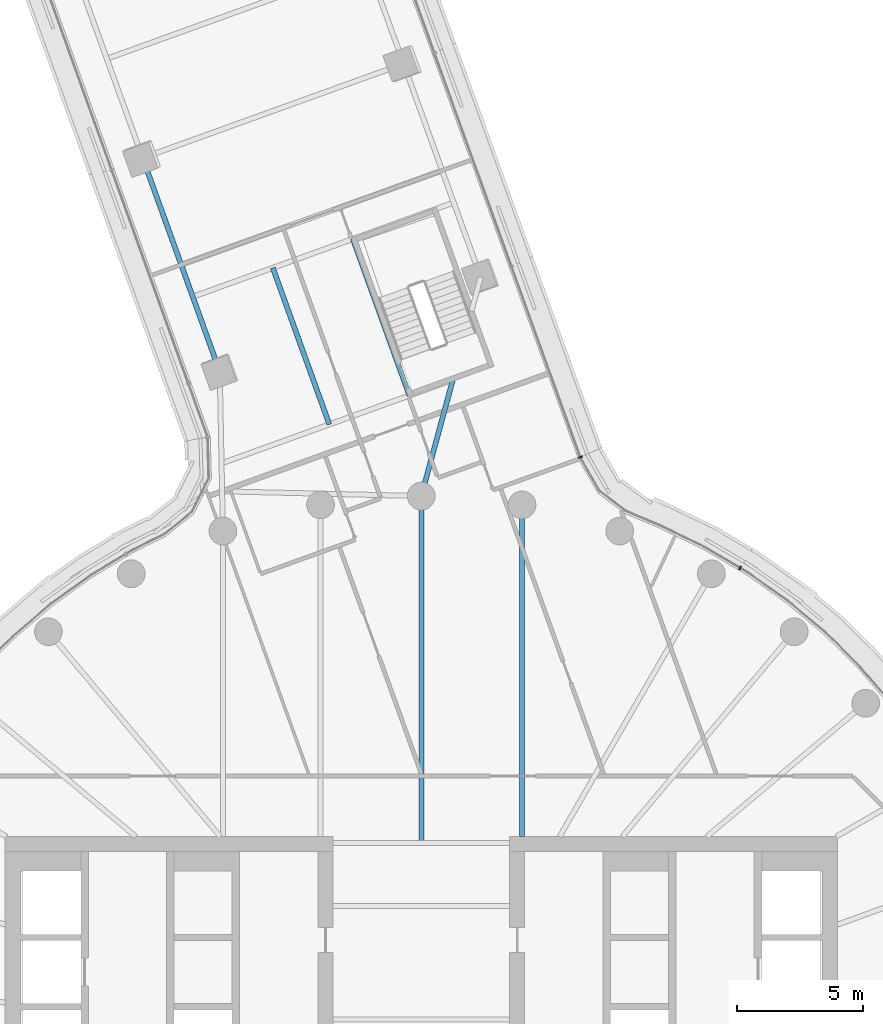
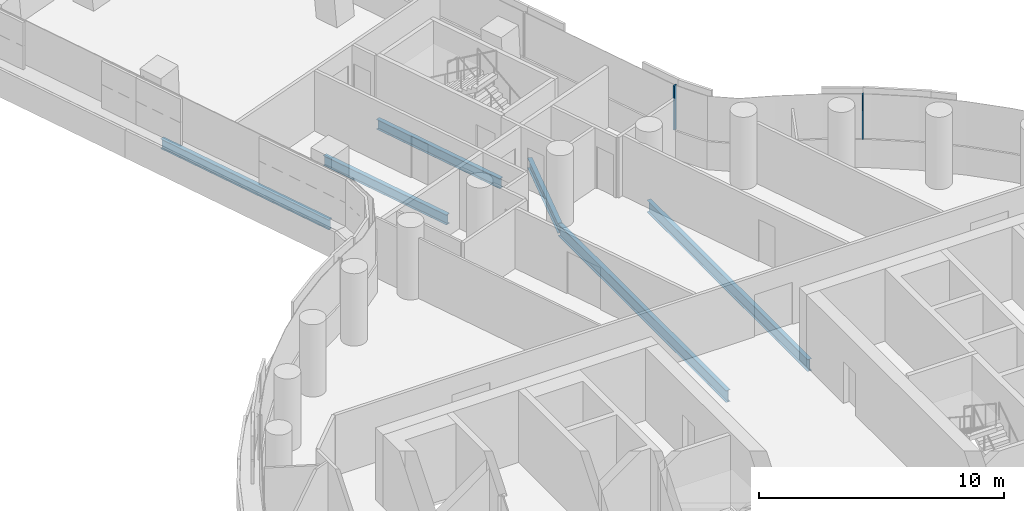
# One storey, part 14 of 30: 6 beams, 2 members, 2 elements without a shape of their own.
"""IFC4 building model written with IfcOpenShell, lengths in metres."""

from ifc_helpers import new_model, si_unit, direction, frame, origin, origin_2d, place, context, subcontext, project, spatial, rectangle, i_section, extrude, material, layer, layer_set, material_profile, profile_set, type_object, element, aggregate, save


model = new_model("IFC4")

# Units and contexts
model_context = context("Model", 3, precision=1e-05, world=origin(), true_north=direction((0.0, 1.0)))
body_context = subcontext(model_context, "Body", "Model", "MODEL_VIEW")
ifc_project = project(units=[si_unit("LENGTHUNIT", "METRE"), si_unit("AREAUNIT", "SQUARE_METRE"), si_unit("VOLUMEUNIT", "CUBIC_METRE"), si_unit("PLANEANGLEUNIT", "RADIAN"), si_unit("MASSUNIT", "GRAM", prefix="KILO")], contexts=[model_context])

# Site, building, storey
site_placement = place(None, origin())
site = spatial("IfcSite", under=ifc_project, at=site_placement, CompositionType="ELEMENT")
building_placement = place(site_placement, origin())
building = spatial("IfcBuilding", under=site, at=building_placement, Name="Tamarind Cross Interchange Tower", CompositionType="ELEMENT")
storey_placement = place(building_placement, frame((0.0, 0.0, 106.0)))
storey = spatial("IfcBuildingStorey", under=building, at=storey_placement, Name="L25", CompositionType="ELEMENT", Elevation=106.0)

# Beams
ifc_material_1 = material(Name="Steel Q355B", Category="steel")
ifc_material_profile_1 = material_profile(ifc_material_1, i_section(OverallWidth=0.198974609375, OverallDepth=0.49609375, WebThickness=0.009033203125, FlangeThickness=0.013916015625, FilletRadius=0.012939453125, at=origin_2d()), Name="HN 496x199x9x14")
ifc_profile_set_1 = profile_set([ifc_material_profile_1], Name="Steel Q355B")
beam_type_1 = type_object("IfcBeamType", Name="Composite beam HN 496x199x9x14 Q355B", PredefinedType="BEAM", material=ifc_profile_set_1)
beam_1_placement = place(storey_placement, frame((-11.0478515625, 36.404296875, -0.387939453125), z_axis=(0.339577135833, -0.940578209837, 0.0), x_axis=(0.940578209837, 0.339577135833, 0.0)))
element("IfcBeam", 1, at=beam_1_placement, inside=storey, type_object=beam_type_1, Name="Beam N-edgeep3", PredefinedType="BEAM", context=body_context, shape_type="SweptSolid", body=[
    extrude(i_section(OverallWidth=0.198974609375, OverallDepth=0.49609375, WebThickness=0.009033203125, FlangeThickness=0.013916015625, FilletRadius=0.012939453125, at=origin_2d()), origin(), (0.0, 0.0, 1.0), 8.999755859375),
])
beam_2_placement = place(storey_placement, frame((1.266845703125, 27.6669921875, -0.387939453125), z_axis=(-0.261968096601, -0.965076533941, 0.0), x_axis=(0.965076533941, -0.261968096601, 0.0)))
element("IfcBeam", 2, at=beam_2_placement, inside=storey, type_object=beam_type_1, Name="Beam N-linkemt1", PredefinedType="BEAM", context=body_context, shape_type="SweptSolid", body=[
    extrude(i_section(OverallWidth=0.198974609375, OverallDepth=0.49609375, WebThickness=0.009033203125, FlangeThickness=0.013916015625, FilletRadius=0.012939453125, at=origin_2d()), origin(), (0.0, 0.0, 1.0), 4.8359375),
])
beam_3_placement = place(storey_placement, frame((-0.47119140625, 26.986328125, -0.387939453125), z_axis=(-0.339579923931, 0.940577203245, 0.0), x_axis=(-0.940577203245, -0.339579923931, 0.0)))
element("IfcBeam", 3, at=beam_3_placement, inside=storey, type_object=beam_type_1, Name="Beam N-tr1", PredefinedType="BEAM", context=body_context, shape_type="SweptSolid", body=[
    extrude(i_section(OverallWidth=0.198974609375, OverallDepth=0.49609375, WebThickness=0.009033203125, FlangeThickness=0.013916015625, FilletRadius=0.012939453125, at=origin_2d()), origin(), (0.0, 0.0, 1.0), 6.599853515625),
])
beam_4_placement = place(storey_placement, frame((-3.645751953125, 25.840087890625, -0.387939453125), z_axis=(-0.339568109259, 0.940581468653, 0.0), x_axis=(-0.940581468653, -0.339568109259, 0.0)))
element("IfcBeam", 4, at=beam_4_placement, inside=storey, type_object=beam_type_1, Name="Beam N-stripp", PredefinedType="BEAM", context=body_context, shape_type="SweptSolid", body=[
    extrude(i_section(OverallWidth=0.198974609375, OverallDepth=0.49609375, WebThickness=0.009033203125, FlangeThickness=0.013916015625, FilletRadius=0.012939453125, at=origin_2d()), origin(), (0.0, 0.0, 1.0), 6.60009765625),
])
ifc_material_profile_2 = material_profile(ifc_material_1, i_section(OverallWidth=0.198974609375, OverallDepth=0.595947265625, WebThickness=0.010009765625, FlangeThickness=0.014892578125, FilletRadius=0.012939453125, at=origin_2d()), Name="HN 596x199x10x15")
ifc_profile_set_2 = profile_set([ifc_material_profile_2], Name="Steel Q355B")
beam_type_2 = type_object("IfcBeamType", Name="Composite beam HN 596x199x10x15 Q355B", PredefinedType="BEAM", material=ifc_profile_set_2)
beam_5_placement = place(storey_placement, frame((3.993896484375, 22.650634765625, -0.43798828125), z_axis=(0.0, -1.0, 0.0), x_axis=(1.0, 0.0, 0.0)))
element("IfcBeam", 5, at=beam_5_placement, inside=storey, type_object=beam_type_2, Name="Beam HH08", PredefinedType="BEAM", context=body_context, shape_type="SweptSolid", body=[
    extrude(i_section(OverallWidth=0.198974609375, OverallDepth=0.595947265625, WebThickness=0.010009765625, FlangeThickness=0.014892578125, FilletRadius=0.012939453125, at=origin_2d()), origin(), (0.0, 0.0, 1.0), 13.150634765625),
])
beam_6_placement = place(storey_placement, frame((0.0, 23.0, -0.43798828125), z_axis=(0.0, -1.0, 0.0), x_axis=(1.0, 0.0, 0.0)))
element("IfcBeam", 6, at=beam_6_placement, inside=storey, type_object=beam_type_2, Name="Beam HH09", PredefinedType="BEAM", context=body_context, shape_type="SweptSolid", body=[
    extrude(i_section(OverallWidth=0.198974609375, OverallDepth=0.595947265625, WebThickness=0.010009765625, FlangeThickness=0.014892578125, FilletRadius=0.012939453125, at=origin_2d()), origin(), (0.0, 0.0, 1.0), 13.75),
])

# Curtain wall, member
ifc_material_2 = material(Name="Aluminium 6063-T6", Category="aluminium")
ifc_layer = layer(ifc_material_2, 0.159912109375)
ifc_layer_set = layer_set([ifc_layer], Name="Aluminium 6063-T6")
curtain_wall_type = type_object("IfcCurtainWallType", Name="Office curtain wall, 9.0 m bays", PredefinedType="NOTDEFINED", material=ifc_layer_set)
curtain_wall_1_placement = place(storey_placement, origin())
curtain_wall_1 = element("IfcCurtainWall", 7, at=curtain_wall_1_placement, inside=storey, type_object=curtain_wall_type, Name="CWS-L25-10", PredefinedType="NOTDEFINED")
ifc_material_profile_3 = material_profile(ifc_material_2, rectangle(XDim=0.06005859375, YDim=0.159912109375, at=origin_2d()), Name="Mullion CW1")
ifc_profile_set_3 = profile_set([ifc_material_profile_3], Name="Aluminium 6063-T6")
member_type = type_object("IfcMemberType", Name="Mullion CW1", PredefinedType="MULLION", material=ifc_profile_set_3)
member_1_placement = place(storey_placement, frame((12.64013671875, 20.1474609375, 1.39990234375), z_axis=(0.0, 0.0, 1.0), x_axis=(-0.861248933065, 0.508183308752, 0.0)))
member_1 = element("IfcMember", 8, at=member_1_placement, type_object=member_type, Name="CWM-L25-10-02", PredefinedType="MULLION", context=body_context, shape_type="SweptSolid", body=[
    extrude(rectangle(XDim=0.06005859375, YDim=0.159912109375, at=origin_2d()), origin(), (0.0, 0.0, 1.0), 2.210205078125),
])
aggregate(curtain_wall_1, [member_1])

curtain_wall_2_placement = place(storey_placement, origin())
curtain_wall_2 = element("IfcCurtainWall", 9, at=curtain_wall_2_placement, inside=storey, type_object=curtain_wall_type, Name="CWS-L25-11", PredefinedType="NOTDEFINED")
member_2_placement = place(storey_placement, frame((6.311767578125, 24.5419921875, 1.39990234375), z_axis=(0.0, 0.0, 1.0), x_axis=(-0.412590976797, 0.910916398944, 0.0)))
member_2 = element("IfcMember", 10, at=member_2_placement, type_object=member_type, Name="CWM-L25-11-00", PredefinedType="MULLION", context=body_context, shape_type="SweptSolid", body=[
    extrude(rectangle(XDim=0.06005859375, YDim=0.159912109375, at=origin_2d()), origin(), (0.0, 0.0, 1.0), 2.210205078125),
])
aggregate(curtain_wall_2, [member_2])

save(model, "model.ifc")
